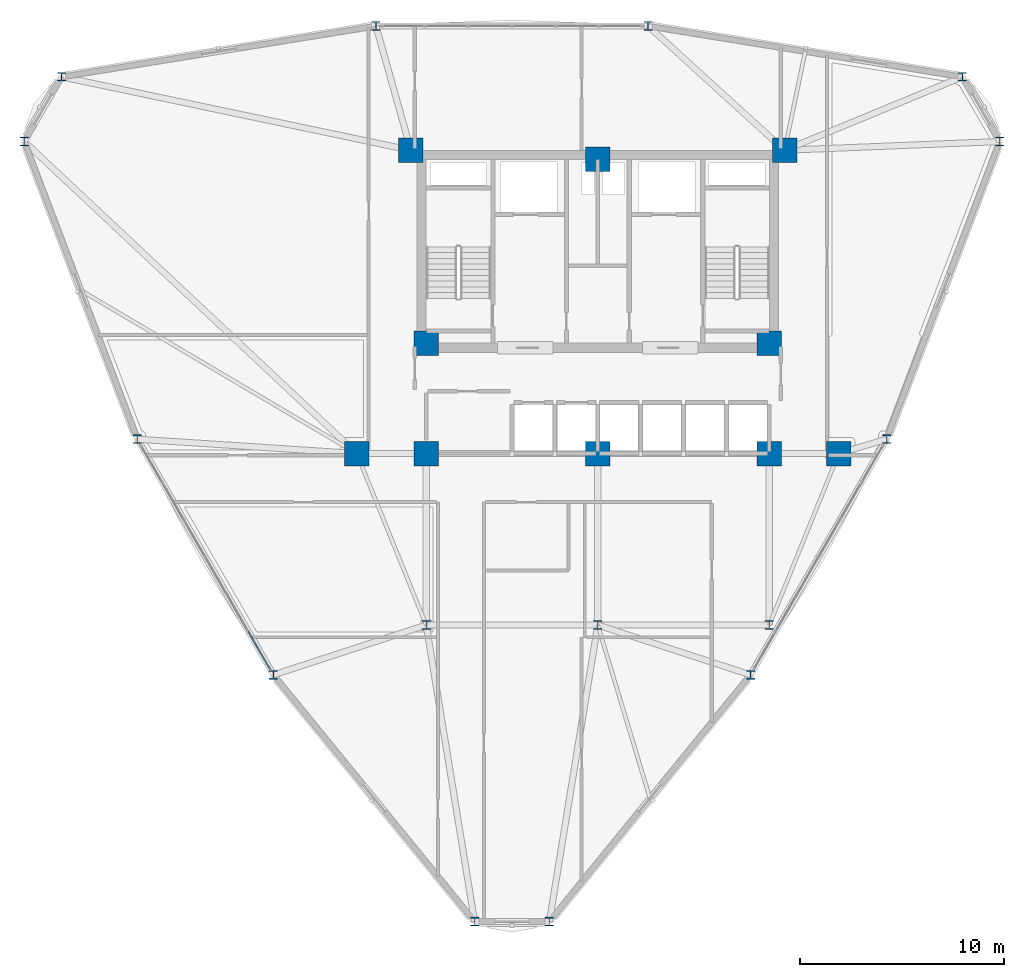
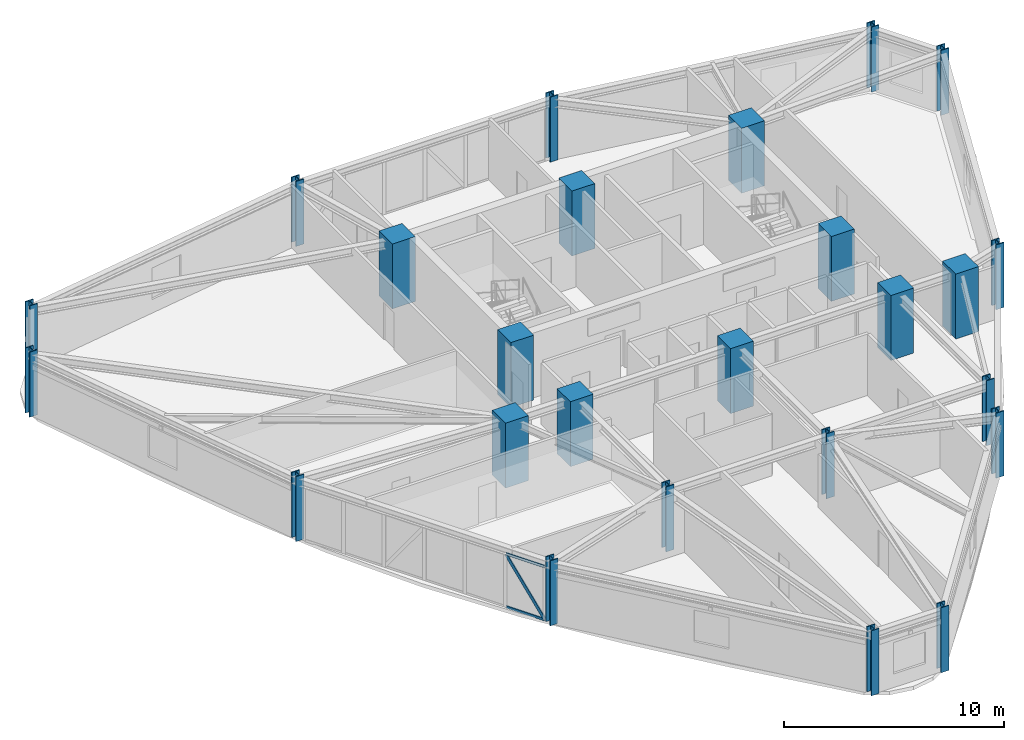
# One storey, part 1 of 18: 25 columns, 3 members, 1 element without a shape of its own.
"""IFC4 building model written with IfcOpenShell, lengths in metres."""

from ifc_helpers import new_model, si_unit, derived_unit, direction, frame, origin, origin_2d, place, context, subcontext, project, spatial, rectangle, hollow_rectangle, i_section, extrude, source, transform, mapped, material, layer, layer_set, material_profile, profile_set, type_object, element, aggregate, save


model = new_model("IFC4")

# Units and contexts
model_context = context("Model", 3, precision=1e-05, world=origin(), true_north=direction((0.0, 1.0)))
body_context = subcontext(model_context, "Body", "Model", "MODEL_VIEW")
ifc_project = project(units=[si_unit("LENGTHUNIT", "METRE"), si_unit("AREAUNIT", "SQUARE_METRE"), si_unit("VOLUMEUNIT", "CUBIC_METRE"), si_unit("PLANEANGLEUNIT", "RADIAN"), si_unit("MASSUNIT", "GRAM", prefix="KILO"), derived_unit("THERMALTRANSMITTANCEUNIT", [(si_unit("POWERUNIT", "WATT"), 1), (si_unit("LENGTHUNIT", "METRE"), -2), (si_unit("THERMODYNAMICTEMPERATUREUNIT", "KELVIN"), -1)])], contexts=[model_context])

# Site, building, storey
site_placement = place(None, origin())
site = spatial("IfcSite", under=ifc_project, at=site_placement, CompositionType="ELEMENT")
building_placement = place(site_placement, origin())
building = spatial("IfcBuilding", under=site, at=building_placement, Name="Korsvarv Bourse and Concert Hall", CompositionType="ELEMENT")
storey_placement = place(building_placement, frame((0.0, 0.0, 139.800048828125)))
storey = spatial("IfcBuildingStorey", under=building, at=storey_placement, Name="L35", CompositionType="ELEMENT", Elevation=139.800048828125)

# Columns
ifc_material_1 = material(Name="Concrete C60/75", Category="concrete")
ifc_material_profile_1 = material_profile(ifc_material_1, rectangle(XDim=1.199951171875, YDim=1.199951171875, at=origin_2d()), Name="RC 1200x1200")
ifc_profile_set_1 = profile_set([ifc_material_profile_1], Name="Concrete C60/75")
column_type_1 = type_object("IfcColumnType", Name="COL-RC1200", PredefinedType="COLUMN", material=ifc_profile_set_1)
shared_shape_1 = source(origin(), body_context, "Body", "SweptSolid", [
    extrude(rectangle(XDim=1.199951171875, YDim=1.199951171875, at=origin_2d()), origin(), (0.0, 0.0, 1.0), 3.599853515625),
])
for number, where, z_axis, x_axis, name in (
    (1, (26.85009765625, 47.25, 0.0), (0.0, 0.0, 1.0), (1.0, 0.0, 0.0), "L35 column C-02"),
    (2, (45.14990234375, 47.25, 0.0), (0.0, 0.0, 1.0), (1.0, 0.0, 0.0), "L35 column C-02"),
    (3, (27.60009765625, 37.800048828125, 0.0), (0.0, 0.0, 1.0), (1.0, 0.0, 0.0), "L35 column C-02"),
    (4, (44.39990234375, 37.800048828125, 0.0), (0.0, 0.0, 1.0), (1.0, 0.0, 0.0), "L35 column C-02"),
    (5, (27.60009765625, 32.39990234375, 0.0), (0.0, 0.0, 1.0), (1.0, 0.0, 0.0), "L35 column C-02"),
    (6, (44.39990234375, 32.39990234375, 0.0), (0.0, 0.0, 1.0), (1.0, 0.0, 0.0), "L35 column C-02"),
    (7, (36.0, 46.800048828125, 0.0), (0.0, 0.0, 1.0), (1.0, 0.0, 0.0), "L35 column C-02"),
    (8, (36.0, 32.39990234375, 0.0), (0.0, 0.0, 1.0), (1.0, 0.0, 0.0), "L35 column C-02"),
    (9, (24.199951171875, 32.39990234375, 0.0), (0.0, 0.0, 1.0), (1.0, 0.0, 0.0), "L35 column C-02"),
    (10, (47.800048828125, 32.39990234375, 0.0), (0.0, 0.0, 1.0), (1.0, 0.0, 0.0), "L35 column C-02"),
):
    element("IfcColumn", number, at=place(storey_placement, frame(where, z_axis=z_axis, x_axis=x_axis)), inside=storey, type_object=column_type_1, Name=name, PredefinedType="COLUMN", context=body_context, shape_type="MappedRepresentation", body=[
        mapped(shared_shape_1, transform((0.0, 0.0, 0.0), scale=1.0)),
    ])
ifc_material_2 = material(Name="Steel S355", Category="steel")
ifc_material_profile_2 = material_profile(ifc_material_2, i_section(OverallWidth=0.412109375, OverallDepth=0.43505859375, WebThickness=0.032958984375, FlangeThickness=0.052978515625, FilletRadius=0.014892578125, at=origin_2d()), Name="HD 400x463")
ifc_profile_set_2 = profile_set([ifc_material_profile_2], Name="Steel S355")
column_type_2 = type_object("IfcColumnType", Name="COL-HD463", PredefinedType="COLUMN", material=ifc_profile_set_2)
shared_shape_2 = source(origin(), body_context, "Body", "SweptSolid", [
    extrude(i_section(OverallWidth=0.412109375, OverallDepth=0.43505859375, WebThickness=0.032958984375, FlangeThickness=0.052978515625, FilletRadius=0.014892578125, at=origin_2d()), origin(), (0.0, 0.0, 1.0), 3.599853515625),
])
for number, where, z_axis, x_axis, name in (
    (11, (27.60009765625, 24.0, 0.0), (0.0, 0.0, 1.0), (1.0, 0.0, 0.0), "L35 column C-09"),
    (12, (44.39990234375, 24.0, 0.0), (0.0, 0.0, 1.0), (1.0, 0.0, 0.0), "L35 column C-09"),
    (13, (36.0, 24.0, 0.0), (0.0, 0.0, 1.0), (1.0, 0.0, 0.0), "L35 column C-09"),
    (14, (55.686279296875, 47.677978515625, 0.0), (0.0, 0.0, 1.0), (1.0, 0.0, 0.0), "L35 column C-09"),
    (15, (53.8564453125, 50.846923828125, 0.0), (0.0, 0.0, 1.0), (1.0, 0.0, 0.0), "L35 column C-09"),
    (16, (38.463623046875, 53.3369140625, 0.0), (0.0, 0.0, 1.0), (1.0, 0.0, 0.0), "L35 column C-09"),
    (17, (25.13623046875, 53.3369140625, 0.0), (0.0, 0.0, 1.0), (1.0, 0.0, 0.0), "L35 column C-09"),
    (18, (9.743408203125, 50.846923828125, 0.0), (0.0, 0.0, 1.0), (1.0, 0.0, 0.0), "L35 column C-09"),
    (19, (7.913818359375, 47.677978515625, 0.0), (0.0, 0.0, 1.0), (1.0, 0.0, 0.0), "L35 column C-09"),
    (20, (13.453857421875, 33.1025390625, 0.0), (0.0, 0.0, 1.0), (1.0, 0.0, 0.0), "L35 column C-09"),
    (21, (20.11767578125, 21.560546875, 0.0), (0.0, 0.0, 1.0), (1.0, 0.0, 0.0), "L35 column C-09"),
    (22, (29.97021484375, 9.47509765625, 0.0), (0.0, 0.0, 1.0), (1.0, 0.0, 0.0), "L35 column C-09"),
    (23, (33.629638671875, 9.47509765625, 0.0), (0.0, 0.0, 1.0), (1.0, 0.0, 0.0), "L35 column C-09"),
    (24, (43.482421875, 21.560546875, 0.0), (0.0, 0.0, 1.0), (1.0, 0.0, 0.0), "L35 column C-09"),
    (25, (50.14599609375, 33.1025390625, 0.0), (0.0, 0.0, 1.0), (1.0, 0.0, 0.0), "L35 column C-09"),
):
    element("IfcColumn", number, at=place(storey_placement, frame(where, z_axis=z_axis, x_axis=x_axis)), inside=storey, type_object=column_type_2, Name=name, PredefinedType="COLUMN", context=body_context, shape_type="MappedRepresentation", body=[
        mapped(shared_shape_2, transform((0.0, 0.0, 0.0), scale=1.0)),
    ])

# Curtain wall, members
ifc_material_3 = material(Name="Anodised aluminium and triple low-E glazing", Category="glass")
ifc_layer = layer(ifc_material_3, 0.2099609375)
ifc_layer_set = layer_set([ifc_layer], Name="Anodised aluminium and triple low-E glazing")
curtain_wall_type = type_object("IfcCurtainWallType", Name="CW-SYS-2", PredefinedType="NOTDEFINED", material=ifc_layer_set)
curtain_wall_placement = place(storey_placement, origin())
curtain_wall = element("IfcCurtainWall", 26, at=curtain_wall_placement, inside=storey, type_object=curtain_wall_type, Name="L35 CW2 curtain wall CW-L35-F07", PredefinedType="NOTDEFINED")
ifc_material_4 = material(Name="Extruded aluminium EN AW-6063 T66", Category="aluminium")
ifc_material_profile_3 = material_profile(ifc_material_4, hollow_rectangle(XDim=0.06494140625, YDim=0.139892578125, WallThickness=0.00390625, at=origin_2d()), Name="ALU-T 65x140")
ifc_profile_set_3 = profile_set([ifc_material_profile_3], Name="Extruded aluminium EN AW-6063 T66")
member_type_1 = type_object("IfcMemberType", Name="CWT-140", PredefinedType="USERDEFINED", material=ifc_profile_set_3)
shared_shape_3 = source(origin(), body_context, "Body", "SweptSolid", [
    extrude(hollow_rectangle(XDim=0.06494140625, YDim=0.139892578125, WallThickness=0.00390625, at=origin_2d()), origin(), (0.0, 0.0, 1.0), 2.01318359375),
])
member_1_placement = place(storey_placement, frame((18.921630859375, 23.632080078125, 0.032470703125), z_axis=(0.500012890865, -0.866017961112, 0.0), x_axis=(0.866017961112, 0.500012890865, 0.0)))
member_1 = element("IfcMember", 27, at=member_1_placement, type_object=member_type_1, Name="CW2 transom 6.1", ObjectType="TRANSOM", PredefinedType="USERDEFINED", context=body_context, shape_type="MappedRepresentation", body=[
    mapped(shared_shape_3, transform((0.0, 0.0, 0.0), scale=1.0)),
])
member_2_placement = place(storey_placement, frame((18.921630859375, 23.632080078125, 2.967529296875), z_axis=(0.500012890865, -0.866017961112, 0.0), x_axis=(0.866017961112, 0.500012890865, 0.0)))
member_2 = element("IfcMember", 28, at=member_2_placement, type_object=member_type_1, Name="CW2 transom 6.2", ObjectType="TRANSOM", PredefinedType="USERDEFINED", context=body_context, shape_type="MappedRepresentation", body=[
    mapped(shared_shape_3, transform((0.0, 0.0, 0.0), scale=1.0)),
])
ifc_material_profile_4 = material_profile(ifc_material_4, hollow_rectangle(XDim=0.06494140625, YDim=0.1650390625, WallThickness=0.0048828125, at=origin_2d()), Name="ALU-M 65x165")
ifc_profile_set_4 = profile_set([ifc_material_profile_4], Name="Extruded aluminium EN AW-6063 T66")
member_type_2 = type_object("IfcMemberType", Name="CWM-165", PredefinedType="MULLION", material=ifc_profile_set_4)
shared_shape_4 = source(origin(), body_context, "Body", "SweptSolid", [
    extrude(hollow_rectangle(XDim=0.06494140625, YDim=0.1650390625, WallThickness=0.0048828125, at=origin_2d()), origin(), (0.0, 0.0, 1.0), 3.505859375),
])
member_3_placement = place(storey_placement, frame((19.92822265625, 21.888671875, 0.06494140625), z_axis=(-0.287126079977, 0.497299863477, 0.81868886641), x_axis=(-0.866017961112, -0.500012890865, 0.0)))
member_3 = element("IfcMember", 29, at=member_3_placement, type_object=member_type_2, Name="CW2 diagonal mullion 6", PredefinedType="MULLION", context=body_context, shape_type="MappedRepresentation", body=[
    mapped(shared_shape_4, transform((0.0, 0.0, 0.0), scale=1.0)),
])
aggregate(curtain_wall, [member_1, member_2, member_3])

save(model, "model.ifc")
